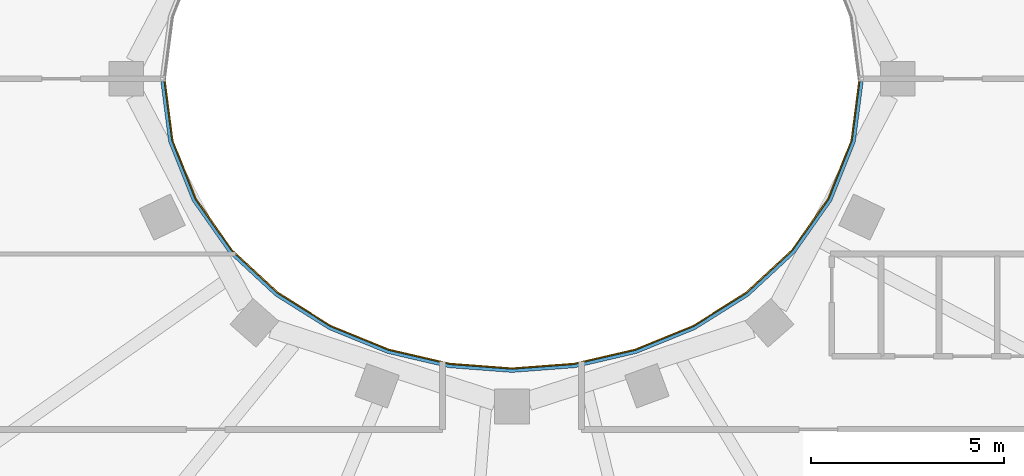
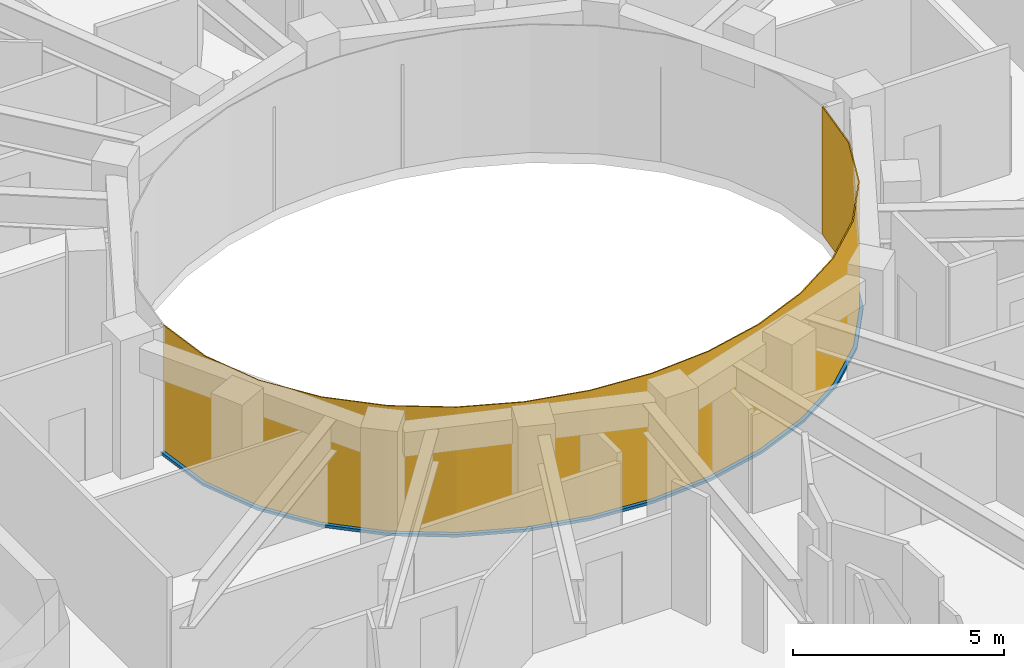
# One storey, part 10 of 16: 1 curtain wall, 1 member.
"""IFC4 building model written with IfcOpenShell, lengths in metres."""

from ifc_helpers import new_model, si_unit, direction, frame, origin, place, context, subcontext, project, spatial, polyline, outline, extrude, material, layer, layer_set, type_object, element, aggregate, save


model = new_model("IFC4")

# Units and contexts
model_context = context("Model", 3, precision=1e-05, world=origin(), true_north=direction((0.0, 1.0)))
body_context = subcontext(model_context, "Body", "Model", "MODEL_VIEW")
ifc_project = project(units=[si_unit("LENGTHUNIT", "METRE"), si_unit("AREAUNIT", "SQUARE_METRE"), si_unit("VOLUMEUNIT", "CUBIC_METRE"), si_unit("PLANEANGLEUNIT", "RADIAN"), si_unit("MASSUNIT", "GRAM", prefix="KILO")], contexts=[model_context])

# Member
ifc_material_1 = material(Name="Steel S355 fire-resisting frame", Category="steel")
member_type = type_object("IfcMemberType", Name="ENV-TRANSOM-W", PredefinedType="USERDEFINED", material=ifc_material_1)
site_placement = place(None, origin())
building_placement = place(site_placement, origin())
storey_placement = place(building_placement, frame((0.0, 0.0, 315.0)))
member_placement = place(storey_placement, origin())
member = element("IfcMember", 1, at=member_placement, type_object=member_type, Name="Transom W well 17-01", ObjectType="TRANSOM", PredefinedType="USERDEFINED", context=body_context, shape_type="SweptSolid", body=[
    extrude(outline(polyline([(-9.119384765625, -0.02783203125), (-8.910400390625, -1.63623046875), (-8.29833984375, -3.167236328125), (-7.35107421875, -4.5146484375), (-6.1455078125, -5.6337890625), (-4.75341796875, -6.50634765625), (-3.233642578125, -7.127685546875), (-1.635498046875, -7.498779296875), (0.0, -7.622314453125), (1.635498046875, -7.498779296875), (3.233642578125, -7.127685546875), (4.75341796875, -6.50634765625), (6.1455078125, -5.6337890625), (7.35107421875, -4.5146484375), (8.29833984375, -3.167236328125), (8.910400390625, -1.63623046875), (9.119384765625, -0.02783203125), (9.02880859375, -0.02783203125), (8.822509765625, -1.61328125), (8.21875, -3.124267578125), (7.282958984375, -4.455078125), (6.090576171875, -5.56201171875), (4.712158203125, -6.426025390625), (3.206298828125, -7.04150390625), (1.621826171875, -7.40966796875), (0.0, -7.531982421875), (-1.621826171875, -7.40966796875), (-3.206298828125, -7.04150390625), (-4.712158203125, -6.426025390625), (-6.090576171875, -5.56201171875), (-7.282958984375, -4.455078125), (-8.21875, -3.124267578125), (-8.822509765625, -1.61328125), (-9.02880859375, -0.02783203125), (-9.119384765625, -0.02783203125)])), origin(), (0.0, 0.0, 1.0), 0.080078125),
])

# Site, building, storey
site = spatial("IfcSite", under=ifc_project, at=site_placement, CompositionType="ELEMENT")
building = spatial("IfcBuilding", under=site, at=building_placement, Name="Noorbagh Ring Tower", CompositionType="ELEMENT")
storey = spatial("IfcBuildingStorey", under=building, at=storey_placement, Name="L68", CompositionType="ELEMENT", Elevation=315.0)

# Curtain wall
ifc_material_2 = material(Name="Glass fire-resisting E60 laminated", Category="glass")
ifc_layer = layer(ifc_material_2, 0.031982421875)
ifc_layer_set = layer_set([ifc_layer], Name="Glass fire-resisting E60 laminated")
curtain_wall_type = type_object("IfcCurtainWallType", Name="ENV-CW-W", PredefinedType="NOTDEFINED", material=ifc_layer_set)
curtain_wall_placement = place(storey_placement, origin())
curtain_wall = element("IfcCurtainWall", 2, at=curtain_wall_placement, inside=storey, type_object=curtain_wall_type, Name="Curtain wall W W17", PredefinedType="NOTDEFINED", context=body_context, shape_type="SweptSolid", body=[
    extrude(outline(polyline([(-9.0322265625, 0.0), (-8.822509765625, -1.61328125), (-8.21875, -3.124267578125), (-7.282958984375, -4.455078125), (-6.090576171875, -5.56201171875), (-4.712158203125, -6.426025390625), (-3.206298828125, -7.04150390625), (-1.621826171875, -7.40966796875), (0.0, -7.531982421875), (1.621826171875, -7.40966796875), (3.206298828125, -7.04150390625), (4.712158203125, -6.426025390625), (6.090576171875, -5.56201171875), (7.282958984375, -4.455078125), (8.21875, -3.124267578125), (8.822509765625, -1.61328125), (9.0322265625, 0.0), (9.0, 0.0), (8.79150390625, -1.605224609375), (8.1904296875, -3.10888671875), (7.2587890625, -4.43408203125), (6.071044921875, -5.53662109375), (4.697509765625, -6.3974609375), (3.196533203125, -7.010986328125), (1.6171875, -7.3779296875), (0.0, -7.5), (-1.6171875, -7.3779296875), (-3.196533203125, -7.010986328125), (-4.697509765625, -6.3974609375), (-6.071044921875, -5.53662109375), (-7.2587890625, -4.43408203125), (-8.1904296875, -3.10888671875), (-8.79150390625, -1.605224609375), (-9.0, 0.0), (-9.0322265625, 0.0)])), origin(), (0.0, 0.0, 1.0), 3.699951171875),
])

aggregate(curtain_wall, [member])

save(model, "model.ifc")
